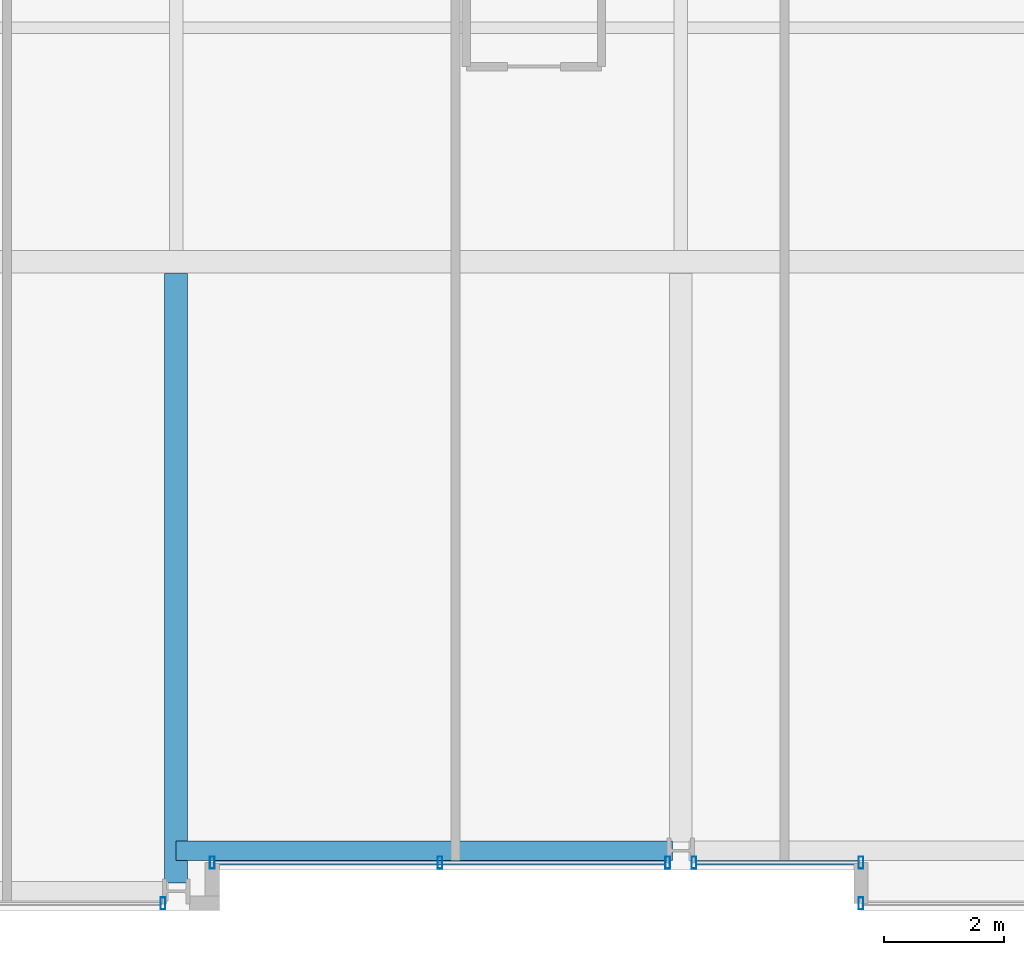
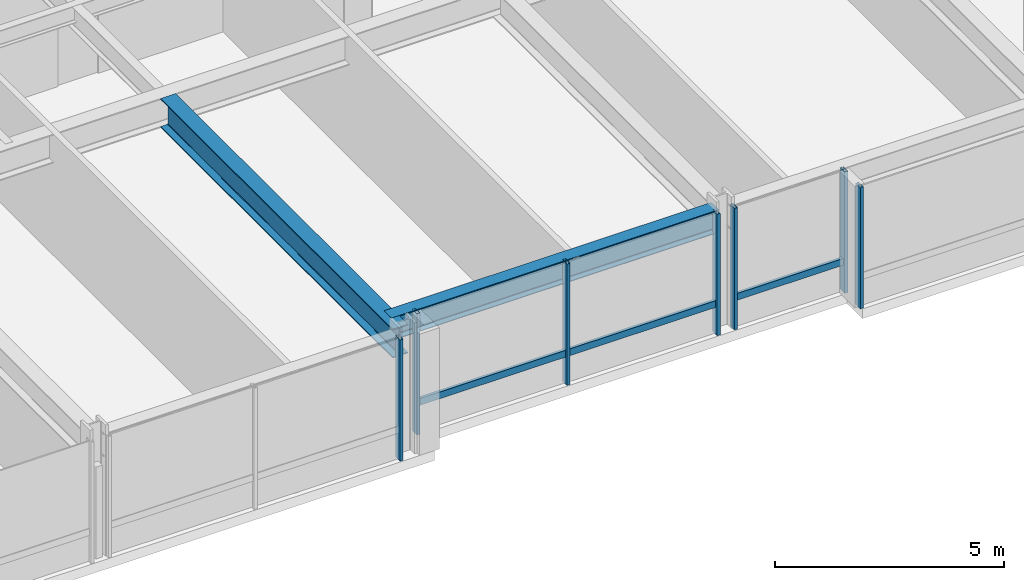
# One storey, part 5 of 34: 9 members, 2 beams, 4 elements without a shape of their own.
"""IFC4 building model written with IfcOpenShell, lengths in metres."""

from ifc_helpers import new_model, si_unit, direction, frame, origin, origin_2d, place, context, subcontext, project, spatial, hollow_rectangle, i_section, extrude, material, layer, layer_set, material_profile, profile_set, type_object, element, aggregate, save


model = new_model("IFC4")

# Units and contexts
model_context = context("Model", 3, precision=1e-05, world=origin(), true_north=direction((0.0, 1.0)))
body_context = subcontext(model_context, "Body", "Model", "MODEL_VIEW")
ifc_project = project(units=[si_unit("LENGTHUNIT", "METRE"), si_unit("AREAUNIT", "SQUARE_METRE"), si_unit("VOLUMEUNIT", "CUBIC_METRE"), si_unit("PLANEANGLEUNIT", "RADIAN"), si_unit("MASSUNIT", "GRAM", prefix="KILO")], contexts=[model_context])

# Site, building, storey
site_placement = place(None, origin())
site = spatial("IfcSite", under=ifc_project, at=site_placement, CompositionType="ELEMENT")
building_placement = place(site_placement, origin())
building = spatial("IfcBuilding", under=site, at=building_placement, Name="Drelvath Grand Hotel", CompositionType="ELEMENT")
storey_placement = place(building_placement, frame((0.0, 0.0, 112.800048828125)))
storey = spatial("IfcBuildingStorey", under=building, at=storey_placement, Name="L28", CompositionType="ELEMENT", Elevation=112.800048828125)

# Curtain wall, member
ifc_material_1 = material(Name="Champagne Bronze Anodised Aluminium Frame", Category="aluminium")
ifc_layer = layer(ifc_material_1, 0.199951171875)
ifc_layer_set = layer_set([ifc_layer], Name="Champagne Bronze Anodised Aluminium Frame")
curtain_wall_type = type_object("IfcCurtainWallType", Name="Stick Curtain Wall CW-03 Champagne Bronze Mid-Rise", PredefinedType="NOTDEFINED", material=ifc_layer_set)
curtain_wall_1_placement = place(storey_placement, origin())
curtain_wall_1 = element("IfcCurtainWall", 1, at=curtain_wall_1_placement, inside=storey, type_object=curtain_wall_type, Name="L28 CW-03 Curtain Wall CW03-L28-SM1", PredefinedType="NOTDEFINED")
ifc_material_profile_1 = material_profile(ifc_material_1, hollow_rectangle(XDim=0.074951171875, YDim=0.179931640625, WallThickness=0.0048828125, at=origin_2d()), Name="HSS180X75X5")
ifc_profile_set_1 = profile_set([ifc_material_profile_1], Name="Champagne Bronze Anodised Aluminium Frame")
member_type_1 = type_object("IfcMemberType", Name="Curtain Wall Horizontal Transom CW-03 HSS180X75X5", PredefinedType="USERDEFINED", material=ifc_profile_set_1)
member_1_placement = place(storey_placement, frame((-0.259521484375, 0.800048828125, 0.81005859375), z_axis=(-1.0, 0.0, 0.0), x_axis=(0.0, -1.0, 0.0)))
member_1 = element("IfcMember", 2, at=member_1_placement, type_object=member_type_1, Name="CW03-L28-SM1 Sill Transom", ObjectType="TRANSOM", PredefinedType="USERDEFINED", context=body_context, shape_type="SweptSolid", body=[
    extrude(hollow_rectangle(XDim=0.074951171875, YDim=0.179931640625, WallThickness=0.0048828125, at=origin_2d()), origin(), (0.0, 0.0, 1.0), 7.50048828125),
])

curtain_wall_2_placement = place(storey_placement, origin())
curtain_wall_2 = element("IfcCurtainWall", 3, at=curtain_wall_2_placement, inside=storey, type_object=curtain_wall_type, Name="L28 CW-03 Curtain Wall CW03-L28-SM2", PredefinedType="NOTDEFINED")
member_2_placement = place(storey_placement, frame((2.9599609375, 0.800048828125, 0.81005859375), z_axis=(-1.0, 0.0, 0.0), x_axis=(0.0, -1.0, 0.0)))
member_2 = element("IfcMember", 4, at=member_2_placement, type_object=member_type_1, Name="CW03-L28-SM2 Sill Transom", ObjectType="TRANSOM", PredefinedType="USERDEFINED", context=body_context, shape_type="SweptSolid", body=[
    extrude(hollow_rectangle(XDim=0.074951171875, YDim=0.179931640625, WallThickness=0.0048828125, at=origin_2d()), origin(), (0.0, 0.0, 1.0), 2.700439453125),
])

curtain_wall_3_placement = place(storey_placement, origin())
curtain_wall_3 = element("IfcCurtainWall", 5, at=curtain_wall_3_placement, inside=storey, type_object=curtain_wall_type, Name="L28 CW-03 Curtain Wall CW03-L28-SE1", PredefinedType="NOTDEFINED")
ifc_material_profile_2 = material_profile(ifc_material_1, hollow_rectangle(XDim=0.080078125, YDim=0.199951171875, WallThickness=0.0048828125, at=origin_2d()), Name="HSS200X80X5")
ifc_profile_set_2 = profile_set([ifc_material_profile_2], Name="Champagne Bronze Anodised Aluminium Frame")
member_type_2 = type_object("IfcMemberType", Name="Curtain Wall Vertical Mullion CW-03 HSS200X80X5", PredefinedType="MULLION", material=ifc_profile_set_2)
member_3_placement = place(storey_placement, frame((3.0, 0.1201171875, 0.0), z_axis=(0.0, 0.0, 1.0), x_axis=(1.0, 0.0, 0.0)))
member_3 = element("IfcMember", 6, at=member_3_placement, type_object=member_type_2, Name="CW03-L28-SE1 Mullion 2", PredefinedType="MULLION", context=body_context, shape_type="SweptSolid", body=[
    extrude(hollow_rectangle(XDim=0.080078125, YDim=0.199951171875, WallThickness=0.0048828125, at=origin_2d()), origin(), (0.0, 0.0, 1.0), 3.239990234375),
])
aggregate(curtain_wall_3, [member_3])

# Member
member_4_placement = place(storey_placement, frame((-0.219482421875, 0.800048828125, 0.0), z_axis=(0.0, 0.0, 1.0), x_axis=(1.0, 0.0, 0.0)))
member_4 = element("IfcMember", 7, at=member_4_placement, type_object=member_type_2, Name="CW03-L28-SM1 Mullion 1", PredefinedType="MULLION", context=body_context, shape_type="SweptSolid", body=[
    extrude(hollow_rectangle(XDim=0.080078125, YDim=0.199951171875, WallThickness=0.0048828125, at=origin_2d()), origin(), (0.0, 0.0, 1.0), 3.239990234375),
])

member_5_placement = place(storey_placement, frame((-4.009765625, 0.800048828125, 0.0), z_axis=(0.0, 0.0, 1.0), x_axis=(1.0, 0.0, 0.0)))
member_5 = element("IfcMember", 8, at=member_5_placement, type_object=member_type_2, Name="CW03-L28-SM1 Mullion 2", PredefinedType="MULLION", context=body_context, shape_type="SweptSolid", body=[
    extrude(hollow_rectangle(XDim=0.080078125, YDim=0.199951171875, WallThickness=0.0048828125, at=origin_2d()), origin(), (0.0, 0.0, 1.0), 3.239990234375),
])

member_6_placement = place(storey_placement, frame((-7.800048828125, 0.800048828125, 0.0), z_axis=(0.0, 0.0, 1.0), x_axis=(1.0, 0.0, 0.0)))
member_6 = element("IfcMember", 9, at=member_6_placement, type_object=member_type_2, Name="CW03-L28-SM1 Mullion 3", PredefinedType="MULLION", context=body_context, shape_type="SweptSolid", body=[
    extrude(hollow_rectangle(XDim=0.080078125, YDim=0.199951171875, WallThickness=0.0048828125, at=origin_2d()), origin(), (0.0, 0.0, 1.0), 3.239990234375),
])

aggregate(curtain_wall_1, [member_4, member_5, member_6, member_1])

member_7_placement = place(storey_placement, frame((3.0, 0.800048828125, 0.0), z_axis=(0.0, 0.0, 1.0), x_axis=(1.0, 0.0, 0.0)))
member_7 = element("IfcMember", 10, at=member_7_placement, type_object=member_type_2, Name="CW03-L28-SM2 Mullion 1", PredefinedType="MULLION", context=body_context, shape_type="SweptSolid", body=[
    extrude(hollow_rectangle(XDim=0.080078125, YDim=0.199951171875, WallThickness=0.0048828125, at=origin_2d()), origin(), (0.0, 0.0, 1.0), 3.239990234375),
])

member_8_placement = place(storey_placement, frame((0.219482421875, 0.800048828125, 0.0), z_axis=(0.0, 0.0, 1.0), x_axis=(1.0, 0.0, 0.0)))
member_8 = element("IfcMember", 11, at=member_8_placement, type_object=member_type_2, Name="CW03-L28-SM2 Mullion 2", PredefinedType="MULLION", context=body_context, shape_type="SweptSolid", body=[
    extrude(hollow_rectangle(XDim=0.080078125, YDim=0.199951171875, WallThickness=0.0048828125, at=origin_2d()), origin(), (0.0, 0.0, 1.0), 3.239990234375),
])

aggregate(curtain_wall_2, [member_7, member_8, member_2])

# Curtain wall, member
curtain_wall_4_placement = place(storey_placement, origin())
curtain_wall_4 = element("IfcCurtainWall", 12, at=curtain_wall_4_placement, inside=storey, type_object=curtain_wall_type, Name="L28 CW-03 Curtain Wall CW03-L28-SW2", PredefinedType="NOTDEFINED")
member_9_placement = place(storey_placement, frame((-8.61962890625, 0.1201171875, 0.0), z_axis=(0.0, 0.0, 1.0), x_axis=(1.0, 0.0, 0.0)))
member_9 = element("IfcMember", 13, at=member_9_placement, type_object=member_type_2, Name="CW03-L28-SW2 Mullion 1", PredefinedType="MULLION", context=body_context, shape_type="SweptSolid", body=[
    extrude(hollow_rectangle(XDim=0.080078125, YDim=0.199951171875, WallThickness=0.0048828125, at=origin_2d()), origin(), (0.0, 0.0, 1.0), 3.239990234375),
])
aggregate(curtain_wall_4, [member_9])

# Beams
ifc_material_2 = material(Name="Steel ASTM A992 Gr 50", Category="steel")
ifc_material_profile_3 = material_profile(ifc_material_2, i_section(OverallWidth=0.323974609375, OverallDepth=0.611083984375, WebThickness=0.0126953125, FlangeThickness=0.01904296875, FilletRadius=0.02197265625, at=origin_2d()), Name="W24X104")
ifc_profile_set_3 = profile_set([ifc_material_profile_3], Name="Steel ASTM A992 Gr 50")
beam_type_1 = type_object("IfcBeamType", Name="Perimeter Spandrel Beam W24X104", PredefinedType="SPANDREL", material=ifc_profile_set_3)
beam_1_placement = place(storey_placement, frame((-8.39990234375, 1.0, 2.9345703125), z_axis=(1.0, 0.0, 0.0), x_axis=(0.0, 1.0, 0.0)))
element("IfcBeam", 14, at=beam_1_placement, inside=storey, type_object=beam_type_1, Name="L28 Spandrel South Mid W", PredefinedType="SPANDREL", context=body_context, shape_type="SweptSolid", body=[
    extrude(i_section(OverallWidth=0.323974609375, OverallDepth=0.611083984375, WebThickness=0.0126953125, FlangeThickness=0.01904296875, FilletRadius=0.02197265625, at=origin_2d()), origin(), (0.0, 0.0, 1.0), 8.260009765625),
])
ifc_material_profile_4 = material_profile(ifc_material_2, i_section(OverallWidth=0.380615234375, OverallDepth=0.773193359375, WebThickness=0.0166015625, FlangeThickness=0.027099609375, FilletRadius=0.02490234375, at=origin_2d()), Name="W30X173")
ifc_profile_set_4 = profile_set([ifc_material_profile_4], Name="Steel ASTM A992 Gr 50")
beam_type_2 = type_object("IfcBeamType", Name="Primary Floor Girder W30X173", PredefinedType="BEAM", material=ifc_profile_set_4)
beam_2_placement = place(storey_placement, frame((-8.39990234375, 0.4599609375, 2.853271484375), z_axis=(0.0, 1.0, 0.0), x_axis=(-1.0, 0.0, 0.0)))
element("IfcBeam", 15, at=beam_2_placement, inside=storey, type_object=beam_type_2, Name="L28 South Wing Girder 4", PredefinedType="BEAM", context=body_context, shape_type="SweptSolid", body=[
    extrude(i_section(OverallWidth=0.380615234375, OverallDepth=0.773193359375, WebThickness=0.0166015625, FlangeThickness=0.027099609375, FilletRadius=0.02490234375, at=origin_2d()), origin(), (0.0, 0.0, 1.0), 10.149658203125),
])

save(model, "model.ifc")
